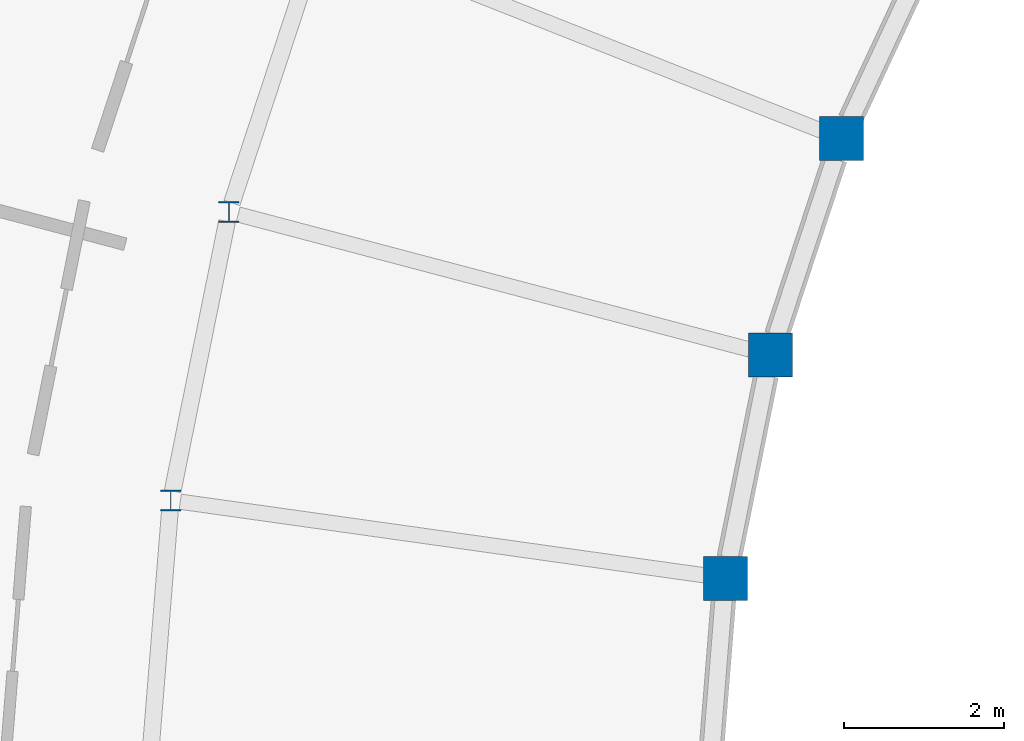
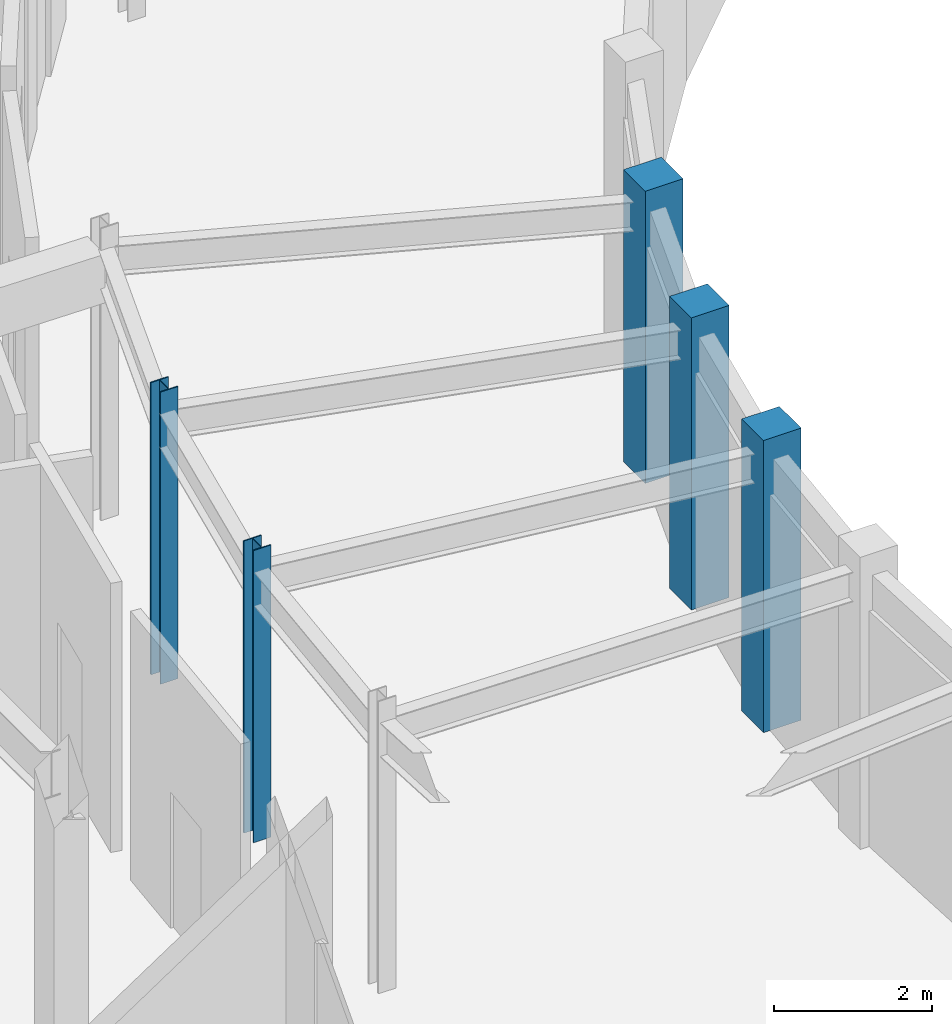
# One storey, part 2 of 60: 5 columns.
"""IFC4 building model written with IfcOpenShell, lengths in metres."""

from ifc_helpers import new_model, si_unit, direction, frame, origin, origin_2d, place, context, subcontext, project, spatial, rectangle, i_section, extrude, material, material_profile, profile_set, type_object, element, save


model = new_model("IFC4")

# Units and contexts
model_context = context("Model", 3, precision=1e-05, world=origin(), true_north=direction((0.0, 1.0)))
body_context = subcontext(model_context, "Body", "Model", "MODEL_VIEW")
ifc_project = project(units=[si_unit("LENGTHUNIT", "METRE"), si_unit("AREAUNIT", "SQUARE_METRE"), si_unit("VOLUMEUNIT", "CUBIC_METRE"), si_unit("PLANEANGLEUNIT", "RADIAN"), si_unit("MASSUNIT", "GRAM", prefix="KILO")], contexts=[model_context])

# Site, building, storey
site_placement = place(None, origin())
site = spatial("IfcSite", under=ifc_project, at=site_placement, CompositionType="ELEMENT")
building_placement = place(site_placement, origin())
building = spatial("IfcBuilding", under=site, at=building_placement, Name="Cinderbank Siding Concert Hall", CompositionType="ELEMENT")
storey_placement = place(building_placement, frame((0.0, 0.0, 14.699951171875)))
storey = spatial("IfcBuildingStorey", under=building, at=storey_placement, Name="L04", CompositionType="ELEMENT", Elevation=14.699951171875)

# Columns
ifc_material_1 = material(Name="Reinforced concrete AS 3600 N50 (50 MPa)", Category="concrete")
ifc_material_profile_1 = material_profile(ifc_material_1, rectangle(XDim=0.550048828125, YDim=0.550048828125, at=origin_2d()), Name="RC-COL-550x550", Category="LoadBearing")
ifc_profile_set_1 = profile_set([ifc_material_profile_1], Name="Reinforced concrete AS 3600 N50 (50 MPa)")
column_type_1 = type_object("IfcColumnType", Name="C-RC550 RC-COL-550x550", PredefinedType="COLUMN", material=ifc_profile_set_1)
for number, where, z_axis, x_axis, name in (
    (1, (33.68505859375, 76.8349609375, 0.0), (0.0, 0.0, 1.0), (1.0, 0.0, 0.0), "L04 Column COL-WIN-09"),
    (2, (32.7958984375, 74.131103515625, 0.0), (0.0, 0.0, 1.0), (1.0, 0.0, 0.0), "L04 Column COL-WIN-10"),
    (3, (32.23388671875, 71.340087890625, 0.0), (0.0, 0.0, 1.0), (1.0, 0.0, 0.0), "L04 Column COL-WIN-11"),
):
    element("IfcColumn", number, at=place(storey_placement, frame(where, z_axis=z_axis, x_axis=x_axis)), inside=storey, type_object=column_type_1, Name=name, PredefinedType="COLUMN", context=body_context, shape_type="SweptSolid", body=[
        extrude(rectangle(XDim=0.550048828125, YDim=0.550048828125, at=origin_2d()), origin(), (0.0, 0.0, 1.0), 4.5),
    ])
ifc_material_2 = material(Name="Structural steel AS/NZS 3679.1 Grade 350 (340 MPa)", Category="steel")
ifc_material_profile_2 = material_profile(ifc_material_2, i_section(OverallWidth=0.256103515625, OverallDepth=0.260009765625, WebThickness=0.010498046875, FlangeThickness=0.017333984375, at=origin_2d()), Name="250UC89.5", Category="LoadBearing")
ifc_profile_set_2 = profile_set([ifc_material_profile_2], Name="Structural steel AS/NZS 3679.1 Grade 350 (340 MPa)")
column_type_2 = type_object("IfcColumnType", Name="C-UC250H 250UC89.5", PredefinedType="COLUMN", material=ifc_profile_set_2)
for number, where, z_axis, x_axis, name in (
    (4, (26.029052734375, 75.9189453125, 0.0), (0.0, 0.0, 1.0), (1.0, 0.0, 0.0), "L04 Column COL-WMID-10"),
    (5, (25.302001953125, 72.31396484375, 0.0), (0.0, 0.0, 1.0), (1.0, 0.0, 0.0), "L04 Column COL-WMID-11"),
):
    element("IfcColumn", number, at=place(storey_placement, frame(where, z_axis=z_axis, x_axis=x_axis)), inside=storey, type_object=column_type_2, Name=name, PredefinedType="COLUMN", context=body_context, shape_type="SweptSolid", body=[
        extrude(i_section(OverallWidth=0.256103515625, OverallDepth=0.260009765625, WebThickness=0.010498046875, FlangeThickness=0.017333984375, at=origin_2d()), origin(), (0.0, 0.0, 1.0), 4.5),
    ])

save(model, "model.ifc")
